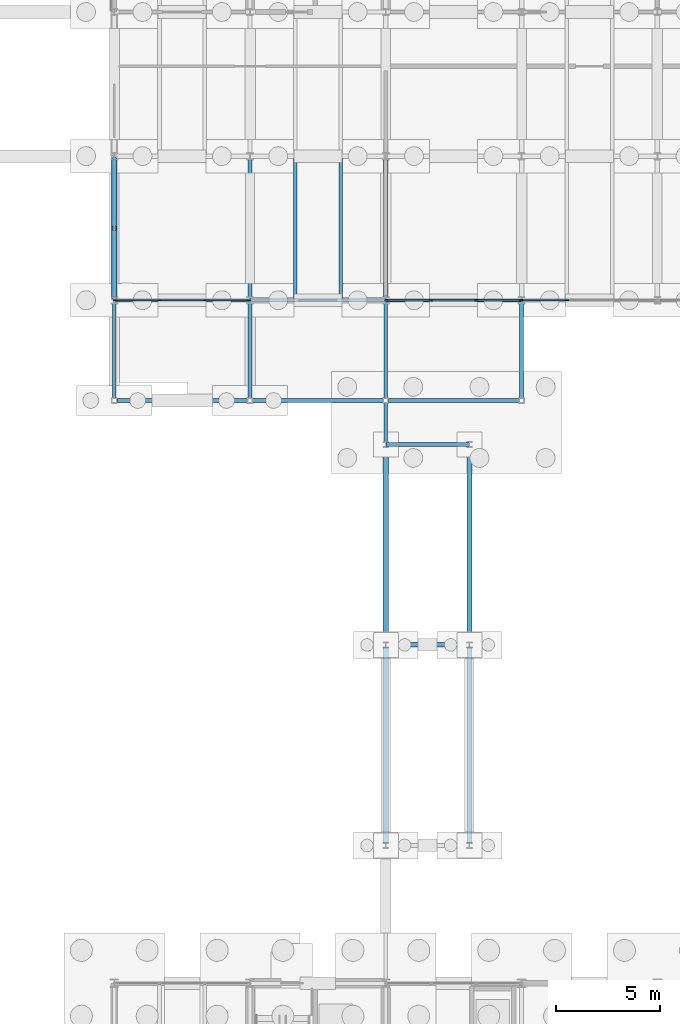
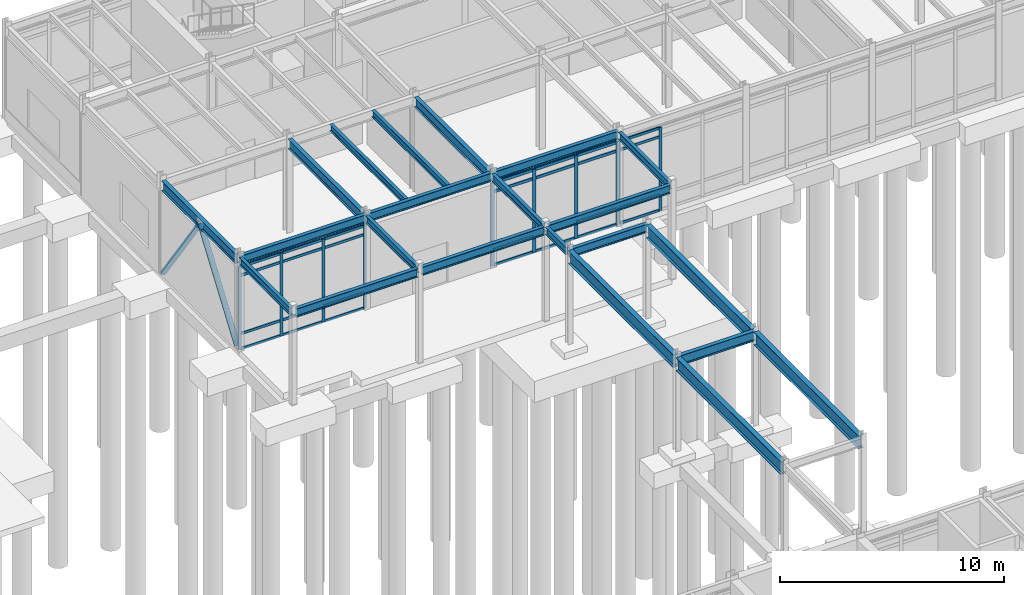
# One storey, part 40 of 82: 40 members, 22 beams, 3 elements without a shape of their own.
"""IFC4 building model written with IfcOpenShell, lengths in metres."""

from ifc_helpers import new_model, si_unit, direction, frame, origin, origin_2d, place, context, subcontext, project, spatial, rectangle, hollow_circle, i_section, extrude, material, layer, layer_set, material_profile, profile_set, type_object, element, aggregate, save


model = new_model("IFC4")

# Units and contexts
model_context = context("Model", 3, precision=1e-05, world=origin(), true_north=direction((0.0, 1.0)))
body_context = subcontext(model_context, "Body", "Model", "MODEL_VIEW")
ifc_project = project(units=[si_unit("LENGTHUNIT", "METRE"), si_unit("AREAUNIT", "SQUARE_METRE"), si_unit("VOLUMEUNIT", "CUBIC_METRE"), si_unit("PLANEANGLEUNIT", "RADIAN"), si_unit("MASSUNIT", "GRAM", prefix="KILO")], contexts=[model_context])

# Site, building, storey
site_placement = place(None, origin())
site = spatial("IfcSite", under=ifc_project, at=site_placement, CompositionType="ELEMENT")
building_placement = place(site_placement, origin())
building = spatial("IfcBuilding", under=site, at=building_placement, Name="Trelmorton Wharf Fire Station", CompositionType="ELEMENT")
storey_placement = place(building_placement, origin())
storey = spatial("IfcBuildingStorey", under=building, at=storey_placement, Name="L00", CompositionType="ELEMENT", Elevation=0.0)

# Beams
ifc_material_1 = material(Name="Steel Grade 350", Category="steel")
ifc_material_profile_1 = material_profile(ifc_material_1, i_section(OverallWidth=0.177978515625, OverallDepth=0.406005859375, WebThickness=0.0078125, FlangeThickness=0.0126953125, FilletRadius=0.011474609375, at=origin_2d()), Name="410UB59.7")
ifc_profile_set_1 = profile_set([ifc_material_profile_1], Name="Steel Grade 350")
beam_type_1 = type_object("IfcBeamType", Name="BM_410UB60", PredefinedType="BEAM", material=ifc_profile_set_1)
for number, where, z_axis, x_axis, name in (
    (1, (104.0, 55.62109375, 4.927001953125), (0.0, 1.0, 0.0), (-1.0, 0.0, 0.0), "BM-L00-0317"),
    (2, (110.5, 55.62109375, 4.927001953125), (0.0, 1.0, 0.0), (-1.0, 0.0, 0.0), "BM-L00-0325"),
):
    element("IfcBeam", number, at=place(storey_placement, frame(where, z_axis=z_axis, x_axis=x_axis)), inside=storey, type_object=beam_type_1, Name=name, PredefinedType="BEAM", context=body_context, shape_type="SweptSolid", body=[
        extrude(i_section(OverallWidth=0.177978515625, OverallDepth=0.406005859375, WebThickness=0.0078125, FlangeThickness=0.0126953125, FilletRadius=0.011474609375, at=origin_2d()), origin(), (0.0, 0.0, 1.0), 4.519287109375),
    ])
beam_1_placement = place(storey_placement, frame((117.0, 53.52294921875, 4.927001953125), z_axis=(0.0, 1.0, 0.0), x_axis=(-1.0, 0.0, 0.0)))
element("IfcBeam", 3, at=beam_1_placement, inside=storey, type_object=beam_type_1, Name="BM-L00-0336", PredefinedType="BEAM", context=body_context, shape_type="SweptSolid", body=[
    extrude(i_section(OverallWidth=0.177978515625, OverallDepth=0.406005859375, WebThickness=0.0078125, FlangeThickness=0.0126953125, FilletRadius=0.011474609375, at=origin_2d()), origin(), (0.0, 0.0, 1.0), 1.85595703125),
])
for number, where, z_axis, x_axis, name in (
    (4, (117.0, 55.62109375, 4.927001953125), (0.0, 1.0, 0.0), (-1.0, 0.0, 0.0), "BM-L00-0337"),
    (5, (123.5, 55.62109375, 4.927001953125), (0.0, 1.0, 0.0), (-1.0, 0.0, 0.0), "BM-L00-0347"),
):
    element("IfcBeam", number, at=place(storey_placement, frame(where, z_axis=z_axis, x_axis=x_axis)), inside=storey, type_object=beam_type_1, Name=name, PredefinedType="BEAM", context=body_context, shape_type="SweptSolid", body=[
        extrude(i_section(OverallWidth=0.177978515625, OverallDepth=0.406005859375, WebThickness=0.0078125, FlangeThickness=0.0126953125, FilletRadius=0.011474609375, at=origin_2d()), origin(), (0.0, 0.0, 1.0), 4.519287109375),
    ])
ifc_material_profile_2 = material_profile(ifc_material_1, i_section(OverallWidth=0.208984375, OverallDepth=0.532958984375, WebThickness=0.01025390625, FlangeThickness=0.015625, FilletRadius=0.013916015625, at=origin_2d()), Name="530UB92.4")
ifc_profile_set_2 = profile_set([ifc_material_profile_2], Name="Steel Grade 350")
beam_type_2 = type_object("IfcBeamType", Name="BM_530UB92", PredefinedType="BEAM", material=ifc_profile_set_2)
beam_2_placement = place(storey_placement, frame((117.00390625, 43.800048828125, 4.863525390625), z_axis=(1.0, 0.0, 0.0), x_axis=(0.0, 1.0, 0.0)))
element("IfcBeam", 6, at=beam_2_placement, inside=storey, type_object=beam_type_2, Name="BM-L00-0114", PredefinedType="BEAM", context=body_context, shape_type="SweptSolid", body=[
    extrude(i_section(OverallWidth=0.208984375, OverallDepth=0.532958984375, WebThickness=0.01025390625, FlangeThickness=0.015625, FilletRadius=0.013916015625, at=origin_2d()), origin(), (0.0, 0.0, 1.0), 3.9921875),
])
for number, where, z_axis, x_axis, name in (
    (7, (104.0, 60.45947265625, 4.863525390625), (0.0, 1.0, 0.0), (-1.0, 0.0, 0.0), "BM-L00-0318"),
    (8, (110.5, 60.45947265625, 4.863525390625), (0.0, 1.0, 0.0), (-1.0, 0.0, 0.0), "BM-L00-0326"),
    (9, (117.0, 60.45947265625, 4.863525390625), (0.0, 1.0, 0.0), (-1.0, 0.0, 0.0), "BM-L00-0338"),
):
    element("IfcBeam", number, at=place(storey_placement, frame(where, z_axis=z_axis, x_axis=x_axis)), inside=storey, type_object=beam_type_2, Name=name, PredefinedType="BEAM", context=body_context, shape_type="SweptSolid", body=[
        extrude(i_section(OverallWidth=0.208984375, OverallDepth=0.532958984375, WebThickness=0.01025390625, FlangeThickness=0.015625, FilletRadius=0.013916015625, at=origin_2d()), origin(), (0.0, 0.0, 1.0), 6.5810546875),
    ])
ifc_material_profile_3 = material_profile(ifc_material_1, i_section(OverallWidth=0.25, OverallDepth=0.699951171875, WebThickness=0.010009765625, FlangeThickness=0.01611328125, at=origin_2d()), Name="700WB130")
ifc_profile_set_3 = profile_set([ifc_material_profile_3], Name="Steel Grade 350")
beam_type_3 = type_object("IfcBeamType", Name="BM_700WB130", PredefinedType="BEAM", material=ifc_profile_set_3)
for number, where, z_axis, x_axis, name in (
    (10, (117.0, 34.322998046875, 4.780029296875), (0.0, 1.0, 0.0), (-1.0, 0.0, 0.0), "BM-L00-0334"),
    (11, (117.0, 43.923095703125, 4.780029296875), (0.0, 1.0, 0.0), (-1.0, 0.0, 0.0), "BM-L00-0335"),
    (12, (121.0, 34.322998046875, 4.780029296875), (0.0, 1.0, 0.0), (-1.0, 0.0, 0.0), "BM-L00-0341"),
    (13, (121.0, 43.923095703125, 4.780029296875), (0.0, 1.0, 0.0), (-1.0, 0.0, 0.0), "BM-L00-0342"),
):
    element("IfcBeam", number, at=place(storey_placement, frame(where, z_axis=z_axis, x_axis=x_axis)), inside=storey, type_object=beam_type_3, Name=name, PredefinedType="BEAM", context=body_context, shape_type="SweptSolid", body=[
        extrude(i_section(OverallWidth=0.25, OverallDepth=0.699951171875, WebThickness=0.010009765625, FlangeThickness=0.01611328125, at=origin_2d()), origin(), (0.0, 0.0, 1.0), 9.35400390625),
    ])
ifc_material_2 = material(Name="Signal-red architectural steel Grade 350", Category="steel")
ifc_material_profile_4 = material_profile(ifc_material_2, i_section(OverallWidth=0.19091796875, OverallDepth=0.4599609375, WebThickness=0.010009765625, FlangeThickness=0.01611328125, FilletRadius=0.011474609375, at=origin_2d()), Name="460UB82.1")
ifc_profile_set_4 = profile_set([ifc_material_profile_4], Name="Signal-red architectural steel Grade 350")
beam_type_4 = type_object("IfcBeamType", Name="BM_RED_460UB82", PredefinedType="BEAM", material=ifc_profile_set_4)
for number, where, z_axis, x_axis, name in (
    (14, (104.12109375, 55.5, 4.89990234375), (1.0, 0.0, 0.0), (0.0, 1.0, 0.0), "BM-L00-0124"),
    (15, (110.62109375, 55.5, 4.89990234375), (1.0, 0.0, 0.0), (0.0, 1.0, 0.0), "BM-L00-0125"),
    (16, (117.12109375, 55.5, 4.89990234375), (1.0, 0.0, 0.0), (0.0, 1.0, 0.0), "BM-L00-0126"),
):
    element("IfcBeam", number, at=place(storey_placement, frame(where, z_axis=z_axis, x_axis=x_axis)), inside=storey, type_object=beam_type_4, Name=name, PredefinedType="BEAM", context=body_context, shape_type="SweptSolid", body=[
        extrude(i_section(OverallWidth=0.19091796875, OverallDepth=0.4599609375, WebThickness=0.010009765625, FlangeThickness=0.01611328125, FilletRadius=0.011474609375, at=origin_2d()), origin(), (0.0, 0.0, 1.0), 6.2578125),
    ])

# Members
ifc_material_3 = material(Name="Steel C350L0 (350 MPa)", Category="steel")
ifc_material_profile_5 = material_profile(ifc_material_3, hollow_circle(Radius=0.136474609375, WallThickness=0.00927734375, at=origin_2d()), Name="273.1x9.3CHS")
ifc_profile_set_5 = profile_set([ifc_material_profile_5], Name="Steel C350L0 (350 MPa)")
member_type_1 = type_object("IfcMemberType", Name="BR_273CHS", PredefinedType="BRACE", material=ifc_profile_set_5)
for number, where, z_axis, x_axis, name in (
    (17, (104.0, 60.46044921875, 0.1201171875), (0.0, 0.576706723329, 0.816951256359), (-1.0, 0.0, 0.0), "CBF-V4-W-L00-A"),
    (18, (104.0, 67.03955078125, 0.1201171875), (0.0, -0.576706723329, 0.816951256359), (1.0, 0.0, 0.0), "CBF-V4-W-L00-B"),
):
    element("IfcMember", number, at=place(storey_placement, frame(where, z_axis=z_axis, x_axis=x_axis)), inside=storey, type_object=member_type_1, Name=name, PredefinedType="BRACE", context=body_context, shape_type="SweptSolid", body=[
        extrude(hollow_circle(Radius=0.136474609375, WallThickness=0.00927734375, at=origin_2d()), origin(), (0.0, 0.0, 1.0), 5.7041015625),
    ])

# Curtain wall, members
ifc_material_4 = material(Name="Anodised aluminium AW-6063", Category="aluminium")
ifc_layer = layer(ifc_material_4, 0.159912109375)
ifc_layer_set = layer_set([ifc_layer], Name="Anodised aluminium AW-6063")
curtain_wall_type = type_object("IfcCurtainWallType", Name="CW_CHIC_A", PredefinedType="USERDEFINED", material=ifc_layer_set)
curtain_wall_1_placement = place(storey_placement, origin())
curtain_wall_1 = element("IfcCurtainWall", 19, at=curtain_wall_1_placement, inside=storey, type_object=curtain_wall_type, Name="CW-V4-L00-113", ObjectType="CHICAGO BAY CURTAIN WALL", PredefinedType="USERDEFINED")
ifc_material_profile_6 = material_profile(ifc_material_4, rectangle(XDim=0.06494140625, YDim=0.159912109375, at=origin_2d()), Name="ALU-65x160")
ifc_profile_set_6 = profile_set([ifc_material_profile_6], Name="Anodised aluminium AW-6063")
member_type_2 = type_object("IfcMemberType", Name="CWM_65x160", PredefinedType="MULLION", material=ifc_profile_set_6)
member_1_placement = place(storey_placement, frame((110.465087890625, 60.300048828125, 0.0), z_axis=(0.0, 0.0, 1.0), x_axis=(0.0, -1.0, 0.0)))
member_1 = element("IfcMember", 20, at=member_1_placement, type_object=member_type_2, Name="CW1 mullion 1", PredefinedType="MULLION", context=body_context, shape_type="SweptSolid", body=[
    extrude(rectangle(XDim=0.06494140625, YDim=0.159912109375, at=origin_2d()), origin(), (0.0, 0.0, 1.0), 4.52001953125),
])
member_2_placement = place(storey_placement, frame((108.331787109375, 60.300048828125, 0.0), z_axis=(0.0, 0.0, 1.0), x_axis=(0.0, -1.0, 0.0)))
member_2 = element("IfcMember", 21, at=member_2_placement, type_object=member_type_2, Name="CW1 mullion 2", PredefinedType="MULLION", context=body_context, shape_type="SweptSolid", body=[
    extrude(rectangle(XDim=0.06494140625, YDim=0.159912109375, at=origin_2d()), origin(), (0.0, 0.0, 1.0), 4.52001953125),
])
member_3_placement = place(storey_placement, frame((106.168212890625, 60.300048828125, 0.0), z_axis=(0.0, 0.0, 1.0), x_axis=(0.0, -1.0, 0.0)))
member_3 = element("IfcMember", 22, at=member_3_placement, type_object=member_type_2, Name="CW1 mullion 3", PredefinedType="MULLION", context=body_context, shape_type="SweptSolid", body=[
    extrude(rectangle(XDim=0.06494140625, YDim=0.159912109375, at=origin_2d()), origin(), (0.0, 0.0, 1.0), 4.52001953125),
])
member_4_placement = place(storey_placement, frame((104.034912109375, 60.300048828125, 0.0), z_axis=(0.0, 0.0, 1.0), x_axis=(0.0, -1.0, 0.0)))
member_4 = element("IfcMember", 23, at=member_4_placement, type_object=member_type_2, Name="CW1 mullion 4", PredefinedType="MULLION", context=body_context, shape_type="SweptSolid", body=[
    extrude(rectangle(XDim=0.06494140625, YDim=0.159912109375, at=origin_2d()), origin(), (0.0, 0.0, 1.0), 4.52001953125),
])

curtain_wall_2_placement = place(storey_placement, origin())
curtain_wall_2 = element("IfcCurtainWall", 24, at=curtain_wall_2_placement, inside=storey, type_object=curtain_wall_type, Name="CW-V4-L00-115", ObjectType="CHICAGO BAY CURTAIN WALL", PredefinedType="USERDEFINED")
member_5_placement = place(storey_placement, frame((125.668212890625, 60.300048828125, 0.0), z_axis=(0.0, 0.0, 1.0), x_axis=(0.0, -1.0, 0.0)))
member_5 = element("IfcMember", 25, at=member_5_placement, type_object=member_type_2, Name="CW1 mullion 3", PredefinedType="MULLION", context=body_context, shape_type="SweptSolid", body=[
    extrude(rectangle(XDim=0.06494140625, YDim=0.159912109375, at=origin_2d()), origin(), (0.0, 0.0, 1.0), 4.52001953125),
])
member_6_placement = place(storey_placement, frame((123.534912109375, 60.300048828125, 0.0), z_axis=(0.0, 0.0, 1.0), x_axis=(0.0, -1.0, 0.0)))
member_6 = element("IfcMember", 26, at=member_6_placement, type_object=member_type_2, Name="CW1 mullion 4", PredefinedType="MULLION", context=body_context, shape_type="SweptSolid", body=[
    extrude(rectangle(XDim=0.06494140625, YDim=0.159912109375, at=origin_2d()), origin(), (0.0, 0.0, 1.0), 4.52001953125),
])

curtain_wall_3_placement = place(storey_placement, origin())
curtain_wall_3 = element("IfcCurtainWall", 27, at=curtain_wall_3_placement, inside=storey, type_object=curtain_wall_type, Name="CW-V4-L00-114", ObjectType="CHICAGO BAY CURTAIN WALL", PredefinedType="USERDEFINED")
ifc_material_profile_7 = material_profile(ifc_material_4, rectangle(XDim=0.074951171875, YDim=0.175048828125, at=origin_2d()), Name="ALU-75x175")
ifc_profile_set_7 = profile_set([ifc_material_profile_7], Name="Anodised aluminium AW-6063")
member_type_3 = type_object("IfcMemberType", Name="CWM_75x175", PredefinedType="MULLION", material=ifc_profile_set_7)
member_7_placement = place(storey_placement, frame((123.465087890625, 60.300048828125, 0.0), z_axis=(0.0, 0.0, 1.0), x_axis=(0.0, -1.0, 0.0)))
member_7 = element("IfcMember", 28, at=member_7_placement, type_object=member_type_3, Name="CW1 mullion 1", PredefinedType="MULLION", context=body_context, shape_type="SweptSolid", body=[
    extrude(rectangle(XDim=0.074951171875, YDim=0.175048828125, at=origin_2d()), origin(), (0.0, 0.0, 1.0), 4.52001953125),
])
member_8_placement = place(storey_placement, frame((121.331787109375, 60.300048828125, 0.0), z_axis=(0.0, 0.0, 1.0), x_axis=(0.0, -1.0, 0.0)))
member_8 = element("IfcMember", 29, at=member_8_placement, type_object=member_type_3, Name="CW1 mullion 2", PredefinedType="MULLION", context=body_context, shape_type="SweptSolid", body=[
    extrude(rectangle(XDim=0.074951171875, YDim=0.175048828125, at=origin_2d()), origin(), (0.0, 0.0, 1.0), 4.52001953125),
])
member_9_placement = place(storey_placement, frame((119.168212890625, 60.300048828125, 0.0), z_axis=(0.0, 0.0, 1.0), x_axis=(0.0, -1.0, 0.0)))
member_9 = element("IfcMember", 30, at=member_9_placement, type_object=member_type_3, Name="CW1 mullion 3", PredefinedType="MULLION", context=body_context, shape_type="SweptSolid", body=[
    extrude(rectangle(XDim=0.074951171875, YDim=0.175048828125, at=origin_2d()), origin(), (0.0, 0.0, 1.0), 4.52001953125),
])
member_10_placement = place(storey_placement, frame((117.034912109375, 60.300048828125, 0.0), z_axis=(0.0, 0.0, 1.0), x_axis=(0.0, -1.0, 0.0)))
member_10 = element("IfcMember", 31, at=member_10_placement, type_object=member_type_3, Name="CW1 mullion 4", PredefinedType="MULLION", context=body_context, shape_type="SweptSolid", body=[
    extrude(rectangle(XDim=0.074951171875, YDim=0.175048828125, at=origin_2d()), origin(), (0.0, 0.0, 1.0), 4.52001953125),
])

# Member
ifc_material_profile_8 = material_profile(ifc_material_4, rectangle(XDim=0.06494140625, YDim=0.139892578125, at=origin_2d()), Name="ALU-65x140")
ifc_profile_set_8 = profile_set([ifc_material_profile_8], Name="Anodised aluminium AW-6063")
member_type_4 = type_object("IfcMemberType", Name="CWT_65x140", PredefinedType="USERDEFINED", material=ifc_profile_set_8)
member_11_placement = place(storey_placement, frame((110.43505859375, 60.300048828125, 0.030029296875), z_axis=(-1.0, 0.0, 0.0), x_axis=(0.0, -1.0, 0.0)))
member_11 = element("IfcMember", 32, at=member_11_placement, type_object=member_type_4, Name="CW1 transom 1.1", ObjectType="TRANSOM", PredefinedType="USERDEFINED", context=body_context, shape_type="SweptSolid", body=[
    extrude(rectangle(XDim=0.06494140625, YDim=0.139892578125, at=origin_2d()), origin(), (0.0, 0.0, 1.0), 2.073486328125),
])

member_12_placement = place(storey_placement, frame((110.43505859375, 60.300048828125, 0.85009765625), z_axis=(-1.0, 0.0, 0.0), x_axis=(0.0, -1.0, 0.0)))
member_12 = element("IfcMember", 33, at=member_12_placement, type_object=member_type_4, Name="CW1 transom 1.2", ObjectType="TRANSOM", PredefinedType="USERDEFINED", context=body_context, shape_type="SweptSolid", body=[
    extrude(rectangle(XDim=0.06494140625, YDim=0.139892578125, at=origin_2d()), origin(), (0.0, 0.0, 1.0), 2.073486328125),
])

member_13_placement = place(storey_placement, frame((110.43505859375, 60.300048828125, 4.02001953125), z_axis=(-1.0, 0.0, 0.0), x_axis=(0.0, -1.0, 0.0)))
member_13 = element("IfcMember", 34, at=member_13_placement, type_object=member_type_4, Name="CW1 transom 1.3", ObjectType="TRANSOM", PredefinedType="USERDEFINED", context=body_context, shape_type="SweptSolid", body=[
    extrude(rectangle(XDim=0.06494140625, YDim=0.139892578125, at=origin_2d()), origin(), (0.0, 0.0, 1.0), 2.073486328125),
])

member_14_placement = place(storey_placement, frame((110.43505859375, 60.300048828125, 4.489990234375), z_axis=(-1.0, 0.0, 0.0), x_axis=(0.0, -1.0, 0.0)))
member_14 = element("IfcMember", 35, at=member_14_placement, type_object=member_type_4, Name="CW1 transom 1.4", ObjectType="TRANSOM", PredefinedType="USERDEFINED", context=body_context, shape_type="SweptSolid", body=[
    extrude(rectangle(XDim=0.06494140625, YDim=0.139892578125, at=origin_2d()), origin(), (0.0, 0.0, 1.0), 2.073486328125),
])

member_15_placement = place(storey_placement, frame((108.3017578125, 60.300048828125, 0.030029296875), z_axis=(-1.0, 0.0, 0.0), x_axis=(0.0, -1.0, 0.0)))
member_15 = element("IfcMember", 36, at=member_15_placement, type_object=member_type_4, Name="CW1 transom 2.1", ObjectType="TRANSOM", PredefinedType="USERDEFINED", context=body_context, shape_type="SweptSolid", body=[
    extrude(rectangle(XDim=0.06494140625, YDim=0.139892578125, at=origin_2d()), origin(), (0.0, 0.0, 1.0), 2.103515625),
])

member_16_placement = place(storey_placement, frame((108.3017578125, 60.300048828125, 0.85009765625), z_axis=(-1.0, 0.0, 0.0), x_axis=(0.0, -1.0, 0.0)))
member_16 = element("IfcMember", 37, at=member_16_placement, type_object=member_type_4, Name="CW1 transom 2.2", ObjectType="TRANSOM", PredefinedType="USERDEFINED", context=body_context, shape_type="SweptSolid", body=[
    extrude(rectangle(XDim=0.06494140625, YDim=0.139892578125, at=origin_2d()), origin(), (0.0, 0.0, 1.0), 2.103515625),
])

member_17_placement = place(storey_placement, frame((108.3017578125, 60.300048828125, 4.02001953125), z_axis=(-1.0, 0.0, 0.0), x_axis=(0.0, -1.0, 0.0)))
member_17 = element("IfcMember", 38, at=member_17_placement, type_object=member_type_4, Name="CW1 transom 2.3", ObjectType="TRANSOM", PredefinedType="USERDEFINED", context=body_context, shape_type="SweptSolid", body=[
    extrude(rectangle(XDim=0.06494140625, YDim=0.139892578125, at=origin_2d()), origin(), (0.0, 0.0, 1.0), 2.103515625),
])

member_18_placement = place(storey_placement, frame((108.3017578125, 60.300048828125, 4.489990234375), z_axis=(-1.0, 0.0, 0.0), x_axis=(0.0, -1.0, 0.0)))
member_18 = element("IfcMember", 39, at=member_18_placement, type_object=member_type_4, Name="CW1 transom 2.4", ObjectType="TRANSOM", PredefinedType="USERDEFINED", context=body_context, shape_type="SweptSolid", body=[
    extrude(rectangle(XDim=0.06494140625, YDim=0.139892578125, at=origin_2d()), origin(), (0.0, 0.0, 1.0), 2.103515625),
])

member_19_placement = place(storey_placement, frame((106.138427734375, 60.300048828125, 0.030029296875), z_axis=(-1.0, 0.0, 0.0), x_axis=(0.0, -1.0, 0.0)))
member_19 = element("IfcMember", 40, at=member_19_placement, type_object=member_type_4, Name="CW1 transom 3.1", ObjectType="TRANSOM", PredefinedType="USERDEFINED", context=body_context, shape_type="SweptSolid", body=[
    extrude(rectangle(XDim=0.06494140625, YDim=0.139892578125, at=origin_2d()), origin(), (0.0, 0.0, 1.0), 2.073486328125),
])

member_20_placement = place(storey_placement, frame((106.138427734375, 60.300048828125, 0.85009765625), z_axis=(-1.0, 0.0, 0.0), x_axis=(0.0, -1.0, 0.0)))
member_20 = element("IfcMember", 41, at=member_20_placement, type_object=member_type_4, Name="CW1 transom 3.2", ObjectType="TRANSOM", PredefinedType="USERDEFINED", context=body_context, shape_type="SweptSolid", body=[
    extrude(rectangle(XDim=0.06494140625, YDim=0.139892578125, at=origin_2d()), origin(), (0.0, 0.0, 1.0), 2.073486328125),
])

member_21_placement = place(storey_placement, frame((106.138427734375, 60.300048828125, 4.02001953125), z_axis=(-1.0, 0.0, 0.0), x_axis=(0.0, -1.0, 0.0)))
member_21 = element("IfcMember", 42, at=member_21_placement, type_object=member_type_4, Name="CW1 transom 3.3", ObjectType="TRANSOM", PredefinedType="USERDEFINED", context=body_context, shape_type="SweptSolid", body=[
    extrude(rectangle(XDim=0.06494140625, YDim=0.139892578125, at=origin_2d()), origin(), (0.0, 0.0, 1.0), 2.073486328125),
])

member_22_placement = place(storey_placement, frame((106.138427734375, 60.300048828125, 4.489990234375), z_axis=(-1.0, 0.0, 0.0), x_axis=(0.0, -1.0, 0.0)))
member_22 = element("IfcMember", 43, at=member_22_placement, type_object=member_type_4, Name="CW1 transom 3.4", ObjectType="TRANSOM", PredefinedType="USERDEFINED", context=body_context, shape_type="SweptSolid", body=[
    extrude(rectangle(XDim=0.06494140625, YDim=0.139892578125, at=origin_2d()), origin(), (0.0, 0.0, 1.0), 2.073486328125),
])

aggregate(curtain_wall_1, [member_1, member_2, member_3, member_4, member_11, member_12, member_13, member_14, member_15, member_16, member_17, member_18, member_19, member_20, member_21, member_22])

member_23_placement = place(storey_placement, frame((125.638427734375, 60.300048828125, 0.030029296875), z_axis=(-1.0, 0.0, 0.0), x_axis=(0.0, -1.0, 0.0)))
member_23 = element("IfcMember", 44, at=member_23_placement, type_object=member_type_4, Name="CW1 transom 3.1", ObjectType="TRANSOM", PredefinedType="USERDEFINED", context=body_context, shape_type="SweptSolid", body=[
    extrude(rectangle(XDim=0.06494140625, YDim=0.139892578125, at=origin_2d()), origin(), (0.0, 0.0, 1.0), 2.073486328125),
])

member_24_placement = place(storey_placement, frame((125.638427734375, 60.300048828125, 0.85009765625), z_axis=(-1.0, 0.0, 0.0), x_axis=(0.0, -1.0, 0.0)))
member_24 = element("IfcMember", 45, at=member_24_placement, type_object=member_type_4, Name="CW1 transom 3.2", ObjectType="TRANSOM", PredefinedType="USERDEFINED", context=body_context, shape_type="SweptSolid", body=[
    extrude(rectangle(XDim=0.06494140625, YDim=0.139892578125, at=origin_2d()), origin(), (0.0, 0.0, 1.0), 2.073486328125),
])

member_25_placement = place(storey_placement, frame((125.638427734375, 60.300048828125, 4.02001953125), z_axis=(-1.0, 0.0, 0.0), x_axis=(0.0, -1.0, 0.0)))
member_25 = element("IfcMember", 46, at=member_25_placement, type_object=member_type_4, Name="CW1 transom 3.3", ObjectType="TRANSOM", PredefinedType="USERDEFINED", context=body_context, shape_type="SweptSolid", body=[
    extrude(rectangle(XDim=0.06494140625, YDim=0.139892578125, at=origin_2d()), origin(), (0.0, 0.0, 1.0), 2.073486328125),
])

member_26_placement = place(storey_placement, frame((125.638427734375, 60.300048828125, 4.489990234375), z_axis=(-1.0, 0.0, 0.0), x_axis=(0.0, -1.0, 0.0)))
member_26 = element("IfcMember", 47, at=member_26_placement, type_object=member_type_4, Name="CW1 transom 3.4", ObjectType="TRANSOM", PredefinedType="USERDEFINED", context=body_context, shape_type="SweptSolid", body=[
    extrude(rectangle(XDim=0.06494140625, YDim=0.139892578125, at=origin_2d()), origin(), (0.0, 0.0, 1.0), 2.073486328125),
])

aggregate(curtain_wall_2, [member_5, member_6, member_23, member_24, member_25, member_26])

ifc_material_profile_9 = material_profile(ifc_material_4, rectangle(XDim=0.074951171875, YDim=0.155029296875, at=origin_2d()), Name="ALU-75x155")
ifc_profile_set_9 = profile_set([ifc_material_profile_9], Name="Anodised aluminium AW-6063")
member_type_5 = type_object("IfcMemberType", Name="CWT_75x155", PredefinedType="USERDEFINED", material=ifc_profile_set_9)
member_27_placement = place(storey_placement, frame((123.43505859375, 60.300048828125, 0.030029296875), z_axis=(-1.0, 0.0, 0.0), x_axis=(0.0, -1.0, 0.0)))
member_27 = element("IfcMember", 48, at=member_27_placement, type_object=member_type_5, Name="CW1 transom 1.1", ObjectType="TRANSOM", PredefinedType="USERDEFINED", context=body_context, shape_type="SweptSolid", body=[
    extrude(rectangle(XDim=0.074951171875, YDim=0.155029296875, at=origin_2d()), origin(), (0.0, 0.0, 1.0), 2.073486328125),
])

member_28_placement = place(storey_placement, frame((123.43505859375, 60.300048828125, 0.85009765625), z_axis=(-1.0, 0.0, 0.0), x_axis=(0.0, -1.0, 0.0)))
member_28 = element("IfcMember", 49, at=member_28_placement, type_object=member_type_5, Name="CW1 transom 1.2", ObjectType="TRANSOM", PredefinedType="USERDEFINED", context=body_context, shape_type="SweptSolid", body=[
    extrude(rectangle(XDim=0.074951171875, YDim=0.155029296875, at=origin_2d()), origin(), (0.0, 0.0, 1.0), 2.073486328125),
])

member_29_placement = place(storey_placement, frame((123.43505859375, 60.300048828125, 4.02001953125), z_axis=(-1.0, 0.0, 0.0), x_axis=(0.0, -1.0, 0.0)))
member_29 = element("IfcMember", 50, at=member_29_placement, type_object=member_type_5, Name="CW1 transom 1.3", ObjectType="TRANSOM", PredefinedType="USERDEFINED", context=body_context, shape_type="SweptSolid", body=[
    extrude(rectangle(XDim=0.074951171875, YDim=0.155029296875, at=origin_2d()), origin(), (0.0, 0.0, 1.0), 2.073486328125),
])

member_30_placement = place(storey_placement, frame((123.43505859375, 60.300048828125, 4.489990234375), z_axis=(-1.0, 0.0, 0.0), x_axis=(0.0, -1.0, 0.0)))
member_30 = element("IfcMember", 51, at=member_30_placement, type_object=member_type_5, Name="CW1 transom 1.4", ObjectType="TRANSOM", PredefinedType="USERDEFINED", context=body_context, shape_type="SweptSolid", body=[
    extrude(rectangle(XDim=0.074951171875, YDim=0.155029296875, at=origin_2d()), origin(), (0.0, 0.0, 1.0), 2.073486328125),
])

member_31_placement = place(storey_placement, frame((121.3017578125, 60.300048828125, 0.030029296875), z_axis=(-1.0, 0.0, 0.0), x_axis=(0.0, -1.0, 0.0)))
member_31 = element("IfcMember", 52, at=member_31_placement, type_object=member_type_5, Name="CW1 transom 2.1", ObjectType="TRANSOM", PredefinedType="USERDEFINED", context=body_context, shape_type="SweptSolid", body=[
    extrude(rectangle(XDim=0.074951171875, YDim=0.155029296875, at=origin_2d()), origin(), (0.0, 0.0, 1.0), 2.103515625),
])

member_32_placement = place(storey_placement, frame((121.3017578125, 60.300048828125, 0.85009765625), z_axis=(-1.0, 0.0, 0.0), x_axis=(0.0, -1.0, 0.0)))
member_32 = element("IfcMember", 53, at=member_32_placement, type_object=member_type_5, Name="CW1 transom 2.2", ObjectType="TRANSOM", PredefinedType="USERDEFINED", context=body_context, shape_type="SweptSolid", body=[
    extrude(rectangle(XDim=0.074951171875, YDim=0.155029296875, at=origin_2d()), origin(), (0.0, 0.0, 1.0), 2.103515625),
])

member_33_placement = place(storey_placement, frame((121.3017578125, 60.300048828125, 4.02001953125), z_axis=(-1.0, 0.0, 0.0), x_axis=(0.0, -1.0, 0.0)))
member_33 = element("IfcMember", 54, at=member_33_placement, type_object=member_type_5, Name="CW1 transom 2.3", ObjectType="TRANSOM", PredefinedType="USERDEFINED", context=body_context, shape_type="SweptSolid", body=[
    extrude(rectangle(XDim=0.074951171875, YDim=0.155029296875, at=origin_2d()), origin(), (0.0, 0.0, 1.0), 2.103515625),
])

member_34_placement = place(storey_placement, frame((121.3017578125, 60.300048828125, 4.489990234375), z_axis=(-1.0, 0.0, 0.0), x_axis=(0.0, -1.0, 0.0)))
member_34 = element("IfcMember", 55, at=member_34_placement, type_object=member_type_5, Name="CW1 transom 2.4", ObjectType="TRANSOM", PredefinedType="USERDEFINED", context=body_context, shape_type="SweptSolid", body=[
    extrude(rectangle(XDim=0.074951171875, YDim=0.155029296875, at=origin_2d()), origin(), (0.0, 0.0, 1.0), 2.103515625),
])

member_35_placement = place(storey_placement, frame((119.138427734375, 60.300048828125, 0.030029296875), z_axis=(-1.0, 0.0, 0.0), x_axis=(0.0, -1.0, 0.0)))
member_35 = element("IfcMember", 56, at=member_35_placement, type_object=member_type_5, Name="CW1 transom 3.1", ObjectType="TRANSOM", PredefinedType="USERDEFINED", context=body_context, shape_type="SweptSolid", body=[
    extrude(rectangle(XDim=0.074951171875, YDim=0.155029296875, at=origin_2d()), origin(), (0.0, 0.0, 1.0), 2.073486328125),
])

member_36_placement = place(storey_placement, frame((119.138427734375, 60.300048828125, 0.85009765625), z_axis=(-1.0, 0.0, 0.0), x_axis=(0.0, -1.0, 0.0)))
member_36 = element("IfcMember", 57, at=member_36_placement, type_object=member_type_5, Name="CW1 transom 3.2", ObjectType="TRANSOM", PredefinedType="USERDEFINED", context=body_context, shape_type="SweptSolid", body=[
    extrude(rectangle(XDim=0.074951171875, YDim=0.155029296875, at=origin_2d()), origin(), (0.0, 0.0, 1.0), 2.073486328125),
])

member_37_placement = place(storey_placement, frame((119.138427734375, 60.300048828125, 4.02001953125), z_axis=(-1.0, 0.0, 0.0), x_axis=(0.0, -1.0, 0.0)))
member_37 = element("IfcMember", 58, at=member_37_placement, type_object=member_type_5, Name="CW1 transom 3.3", ObjectType="TRANSOM", PredefinedType="USERDEFINED", context=body_context, shape_type="SweptSolid", body=[
    extrude(rectangle(XDim=0.074951171875, YDim=0.155029296875, at=origin_2d()), origin(), (0.0, 0.0, 1.0), 2.073486328125),
])

member_38_placement = place(storey_placement, frame((119.138427734375, 60.300048828125, 4.489990234375), z_axis=(-1.0, 0.0, 0.0), x_axis=(0.0, -1.0, 0.0)))
member_38 = element("IfcMember", 59, at=member_38_placement, type_object=member_type_5, Name="CW1 transom 3.4", ObjectType="TRANSOM", PredefinedType="USERDEFINED", context=body_context, shape_type="SweptSolid", body=[
    extrude(rectangle(XDim=0.074951171875, YDim=0.155029296875, at=origin_2d()), origin(), (0.0, 0.0, 1.0), 2.073486328125),
])

aggregate(curtain_wall_3, [member_7, member_8, member_9, member_10, member_27, member_28, member_29, member_30, member_31, member_32, member_33, member_34, member_35, member_36, member_37, member_38])

# Beams
ifc_material_profile_10 = material_profile(ifc_material_1, i_section(OverallWidth=0.172119140625, OverallDepth=0.35888671875, WebThickness=0.008056640625, FlangeThickness=0.012939453125, FilletRadius=0.011474609375, at=origin_2d()), Name="360UB56.7")
ifc_profile_set_10 = profile_set([ifc_material_profile_10], Name="Steel Grade 350")
beam_type_5 = type_object("IfcBeamType", Name="JS_360UB57", PredefinedType="JOIST", material=ifc_profile_set_10)
for number, where, z_axis, x_axis, name in (
    (60, (112.666748046875, 60.389892578125, 4.950439453125), (0.0, 1.0, 0.0), (-1.0, 0.0, 0.0), "JS-L00-0081"),
    (61, (114.833251953125, 60.389892578125, 4.950439453125), (0.0, 1.0, 0.0), (-1.0, 0.0, 0.0), "JS-L00-0082"),
):
    element("IfcBeam", number, at=place(storey_placement, frame(where, z_axis=z_axis, x_axis=x_axis)), inside=storey, type_object=beam_type_5, Name=name, PredefinedType="JOIST", context=body_context, shape_type="SweptSolid", body=[
        extrude(i_section(OverallWidth=0.172119140625, OverallDepth=0.35888671875, WebThickness=0.008056640625, FlangeThickness=0.012939453125, FilletRadius=0.011474609375, at=origin_2d()), origin(), (0.0, 0.0, 1.0), 6.72021484375),
    ])
ifc_material_profile_11 = material_profile(ifc_material_1, i_section(OverallWidth=0.18994140625, OverallDepth=0.45703125, WebThickness=0.009033203125, FlangeThickness=0.014404296875, FilletRadius=0.011474609375, at=origin_2d()), Name="460UB74.6")
ifc_profile_set_11 = profile_set([ifc_material_profile_11], Name="Steel Grade 350")
beam_type_6 = type_object("IfcBeamType", Name="SP_460UB75", PredefinedType="SPANDREL", material=ifc_profile_set_11)
beam_3_placement = place(storey_placement, frame((117.00390625, 53.39990234375, 4.901611328125), z_axis=(1.0, 0.0, 0.0), x_axis=(0.0, 1.0, 0.0)))
element("IfcBeam", 62, at=beam_3_placement, inside=storey, type_object=beam_type_6, Name="BM-L00-0123", PredefinedType="SPANDREL", context=body_context, shape_type="SweptSolid", body=[
    extrude(i_section(OverallWidth=0.18994140625, OverallDepth=0.45703125, WebThickness=0.009033203125, FlangeThickness=0.014404296875, FilletRadius=0.011474609375, at=origin_2d()), origin(), (0.0, 0.0, 1.0), 3.9921875),
])
for number, where, z_axis, x_axis, name in (
    (63, (104.005859375, 60.300048828125, 4.901611328125), (1.0, 0.0, 0.0), (0.0, 1.0, 0.0), "BM-L00-0141"),
    (64, (110.505859375, 60.300048828125, 4.901611328125), (1.0, 0.0, 0.0), (0.0, 1.0, 0.0), "BM-L00-0142"),
    (65, (117.005859375, 60.300048828125, 4.901611328125), (1.0, 0.0, 0.0), (0.0, 1.0, 0.0), "BM-L00-0143"),
):
    element("IfcBeam", number, at=place(storey_placement, frame(where, z_axis=z_axis, x_axis=x_axis)), inside=storey, type_object=beam_type_6, Name=name, PredefinedType="SPANDREL", context=body_context, shape_type="SweptSolid", body=[
        extrude(i_section(OverallWidth=0.18994140625, OverallDepth=0.45703125, WebThickness=0.009033203125, FlangeThickness=0.014404296875, FilletRadius=0.011474609375, at=origin_2d()), origin(), (0.0, 0.0, 1.0), 6.48828125),
    ])

save(model, "model.ifc")
